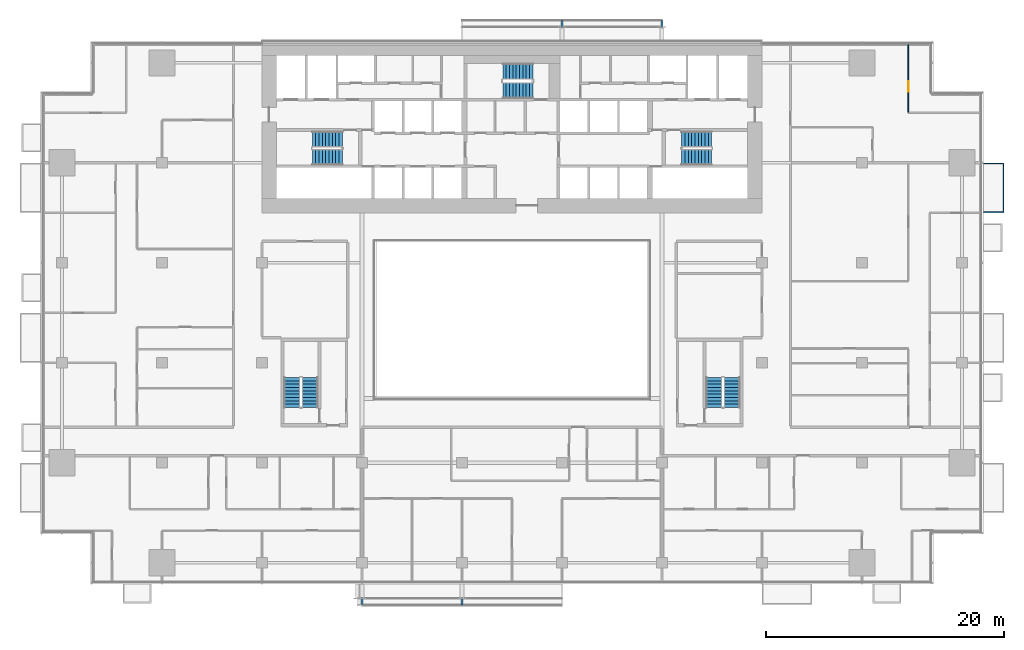
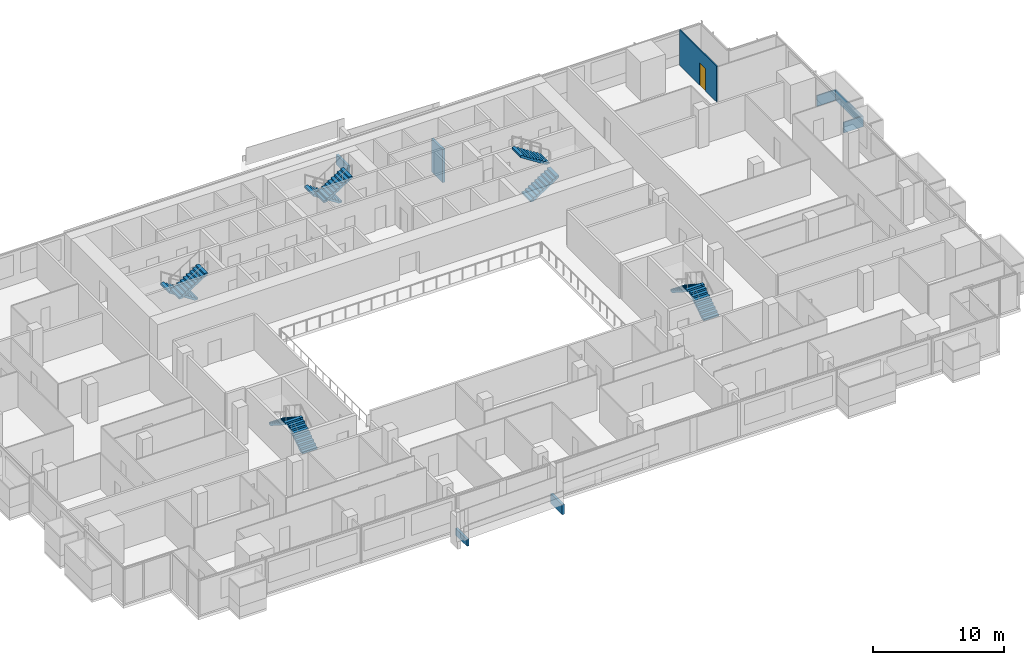
# One storey, part 25 of 27: 10 stair flights, 4 discrete accessories, 2 walls, 1 door, 1 opening, 5 elements without a shape of their own.
"""IFC4 building model written with IfcOpenShell, lengths in metres."""

from ifc_helpers import new_model, si_unit, direction, frame, frame_2d, origin, origin_2d, place, context, subcontext, project, spatial, polyline, rectangle, outline, extrude, material, layer, layer_set, type_object, element, fill, aggregate, save


model = new_model("IFC4")

# Units and contexts
model_context = context("Model", 3, precision=1e-05, world=origin(), true_north=direction((0.0, 1.0)))
body_context = subcontext(model_context, "Body", "Model", "MODEL_VIEW")
ifc_project = project(units=[si_unit("LENGTHUNIT", "METRE"), si_unit("AREAUNIT", "SQUARE_METRE"), si_unit("VOLUMEUNIT", "CUBIC_METRE"), si_unit("PLANEANGLEUNIT", "RADIAN"), si_unit("MASSUNIT", "GRAM", prefix="KILO")], contexts=[model_context])

# Site, building, storey
site_placement = place(None, origin())
site = spatial("IfcSite", under=ifc_project, at=site_placement, CompositionType="ELEMENT")
building_placement = place(site_placement, origin())
building = spatial("IfcBuilding", under=site, at=building_placement, Name="Saffron Gate Tower", CompositionType="ELEMENT")
storey_placement = place(building_placement, frame((0.0, 0.0, 40.800048828125)))
storey = spatial("IfcBuildingStorey", under=building, at=storey_placement, Name="L08", CompositionType="ELEMENT", Elevation=40.800048828125)

# Wall, opening, door
ifc_material_1 = material(Name="Plasterboard on steel studs", Category="steel")
ifc_layer_1 = layer(ifc_material_1, 0.10009765625)
ifc_layer_set_1 = layer_set([ifc_layer_1], Name="PW1 Partition 100")
wall_type_1 = type_object("IfcWallType", Name="PW1 Partition 100", PredefinedType="PARTITIONING", material=ifc_layer_set_1)
wall_1_placement = place(storey_placement, frame((120.89990234375, 75.320068359375, 0.0), z_axis=(0.0, 0.0, 1.0), x_axis=(0.0, -1.0, 0.0)))
wall_1 = element("IfcWall", 1, at=wall_1_placement, inside=storey, type_object=wall_type_1, Name="Partition A1-103", PredefinedType="PARTITIONING", context=body_context, shape_type="SweptSolid", body=[
    extrude(rectangle(XDim=5.670166015625, YDim=0.10009765625, at=frame_2d((2.8349609375, 0.0))), origin(), (0.0, 0.0, 1.0), 3.320068359375),
])
opening_placement = place(wall_1_placement, frame((3.0576171875, 0.0, 0.0)))
opening = element("IfcOpeningElement", 2, at=opening_placement, cuts=wall_1, Name="Opening A1-34", PredefinedType="OPENING", context=body_context, shape_type="SweptSolid", body=[
    extrude(rectangle(XDim=0.89990234375, YDim=2.10009765625, at=frame_2d((0.449951171875, 1.050048828125))), frame((0.0, 0.06005859375, 0.0), z_axis=(0.0, -1.0, 0.0), x_axis=(1.0, 0.0, 0.0)), (0.0, 0.0, 1.0), 0.1201171875),
])
ifc_material_2 = material(Name="Timber door set", Category="wood")
door_type = type_object("IfcDoorType", Name="RD1 Room door 900x2100", OperationType="NOTDEFINED", PredefinedType="DOOR", material=ifc_material_2)
door_placement = place(opening_placement, origin())
door = element("IfcDoor", 3, at=door_placement, inside=storey, type_object=door_type, Name="Door A1-34", OperationType="SINGLE_SWING_RIGHT", OverallHeight=2.10009765625, OverallWidth=0.89990234375, PredefinedType="DOOR", context=body_context, shape_type="SweptSolid", body=[
    extrude(rectangle(XDim=0.89990234375, YDim=2.10009765625, at=frame_2d((0.449951171875, 1.050048828125))), frame((0.0, 0.02490234375, 0.0), z_axis=(0.0, -1.0, 0.0), x_axis=(1.0, 0.0, 0.0)), (0.0, 0.0, 1.0), 0.050048828125),
])
fill(opening, door)

# Wall
ifc_material_3 = material(Name="Rendered insulated panel, white")
ifc_layer_2 = layer(ifc_material_3, 0.10009765625)
ifc_layer_set_2 = layer_set([ifc_layer_2], Name="WB3 box parapet white")
wall_type_2 = type_object("IfcWallType", Name="WB3 box parapet white", PredefinedType="SOLIDWALL", material=ifc_layer_set_2)
wall_2_placement = place(storey_placement, origin())
element("IfcWall", 4, at=wall_2_placement, inside=storey, type_object=wall_type_2, Name="WINDOW BOX parapet", PredefinedType="SOLIDWALL", context=body_context, shape_type="SweptSolid", body=[
    extrude(outline(polyline([(127.199951171875, 61.199951171875), (127.199951171875, 61.300048828125), (128.8330078125, 61.300048828125), (128.8330078125, 65.300048828125), (127.199951171875, 65.300048828125), (127.199951171875, 65.39990234375), (128.93310546875, 65.39990234375), (128.93310546875, 61.199951171875), (127.199951171875, 61.199951171875)])), origin(), (0.0, 0.0, 1.0), 1.0),
])

# Stair, stair flights
ifc_material_4 = material(Name="Concrete C40", Category="concrete")
stair_type = type_object("IfcStairType", Name="ST7 Stair 1350 wide, 20 risers of 180", PredefinedType="HALF_TURN_STAIR", material=ifc_material_4)
stair_1_placement = place(storey_placement, origin())
stair_1 = element("IfcStair", 5, at=stair_1_placement, inside=storey, type_object=stair_type, Name="L08 Exit stair A", PredefinedType="HALF_TURN_STAIR")
stair_flight_type = type_object("IfcStairFlightType", Name="SF3 Stair flight 1350 wide, riser 180 going 280", PredefinedType="STRAIGHT", material=ifc_material_4)
stair_flight_1_placement = place(storey_placement, frame((73.35009765625, 67.375, 0.0), z_axis=(0.0, 0.0, 1.0), x_axis=(-1.0, 0.0, 0.0)))
stair_flight_1 = element("IfcStairFlight", 6, at=stair_flight_1_placement, type_object=stair_flight_type, Name="ST-A flight 1", NumberOfRisers=10, NumberOfTreads=9, PredefinedType="STRAIGHT", RiserHeight=0.18, TreadLength=0.28, context=body_context, shape_type="SweptSolid", body=[
    extrude(outline(polyline([(0.0, 0.0), (0.0, 0.179931640625), (0.280029296875, 0.179931640625), (0.280029296875, 0.360107421875), (0.56005859375, 0.360107421875), (0.56005859375, 0.5400390625), (0.840087890625, 0.5400390625), (0.840087890625, 0.719970703125), (1.1201171875, 0.719970703125), (1.1201171875, 0.89990234375), (1.39990234375, 0.89990234375), (1.39990234375, 1.080078125), (1.679931640625, 1.080078125), (1.679931640625, 1.260009765625), (1.9599609375, 1.260009765625), (1.9599609375, 1.43994140625), (2.239990234375, 1.43994140625), (2.239990234375, 1.6201171875), (2.52001953125, 1.6201171875), (2.52001953125, 1.800048828125), (2.52001953125, 1.44189453125), (0.277099609375, 0.0), (0.0, 0.0)])), frame((0.0, 0.675048828125, 0.0), z_axis=(0.0, -1.0, 0.0), x_axis=(1.0, 0.0, 0.0)), (0.0, 0.0, 1.0), 1.35009765625),
])
stair_flight_2_placement = place(storey_placement, frame((70.830078125, 65.875, 1.800048828125), z_axis=(0.0, 0.0, 1.0), x_axis=(1.0, 0.0, 0.0)))
stair_flight_2 = element("IfcStairFlight", 7, at=stair_flight_2_placement, type_object=stair_flight_type, Name="ST-A flight 2", NumberOfRisers=10, NumberOfTreads=9, PredefinedType="STRAIGHT", RiserHeight=0.18, TreadLength=0.28, context=body_context, shape_type="SweptSolid", body=[
    extrude(outline(polyline([(0.0, 0.0), (0.0, 0.179931640625), (0.280029296875, 0.179931640625), (0.280029296875, 0.360107421875), (0.56005859375, 0.360107421875), (0.56005859375, 0.5400390625), (0.840087890625, 0.5400390625), (0.840087890625, 0.719970703125), (1.1201171875, 0.719970703125), (1.1201171875, 0.89990234375), (1.39990234375, 0.89990234375), (1.39990234375, 1.080078125), (1.679931640625, 1.080078125), (1.679931640625, 1.260009765625), (1.9599609375, 1.260009765625), (1.9599609375, 1.43994140625), (2.239990234375, 1.43994140625), (2.239990234375, 1.6201171875), (2.52001953125, 1.6201171875), (2.52001953125, 1.800048828125), (2.52001953125, 1.44189453125), (0.277099609375, 0.0), (0.0, 0.0)])), frame((0.0, 0.675048828125, 0.0), z_axis=(0.0, -1.0, 0.0), x_axis=(1.0, 0.0, 0.0)), (0.0, 0.0, 1.0), 1.35009765625),
])
aggregate(stair_1, [stair_flight_1, stair_flight_2])

stair_2_placement = place(storey_placement, origin())
stair_2 = element("IfcStair", 8, at=stair_2_placement, inside=storey, type_object=stair_type, Name="L08 Exit stair B", PredefinedType="HALF_TURN_STAIR")
stair_flight_3_placement = place(storey_placement, frame((101.85009765625, 65.875, 0.0), z_axis=(0.0, 0.0, 1.0), x_axis=(1.0, 0.0, 0.0)))
stair_flight_3 = element("IfcStairFlight", 9, at=stair_flight_3_placement, type_object=stair_flight_type, Name="ST-B flight 1", NumberOfRisers=10, NumberOfTreads=9, PredefinedType="STRAIGHT", RiserHeight=0.18, TreadLength=0.28, context=body_context, shape_type="SweptSolid", body=[
    extrude(outline(polyline([(0.0, 0.0), (0.0, 0.179931640625), (0.280029296875, 0.179931640625), (0.280029296875, 0.360107421875), (0.56005859375, 0.360107421875), (0.56005859375, 0.5400390625), (0.840087890625, 0.5400390625), (0.840087890625, 0.719970703125), (1.1201171875, 0.719970703125), (1.1201171875, 0.89990234375), (1.39990234375, 0.89990234375), (1.39990234375, 1.080078125), (1.679931640625, 1.080078125), (1.679931640625, 1.260009765625), (1.9599609375, 1.260009765625), (1.9599609375, 1.43994140625), (2.239990234375, 1.43994140625), (2.239990234375, 1.6201171875), (2.52001953125, 1.6201171875), (2.52001953125, 1.800048828125), (2.52001953125, 1.44189453125), (0.277099609375, 0.0), (0.0, 0.0)])), frame((0.0, 0.675048828125, 0.0), z_axis=(0.0, -1.0, 0.0), x_axis=(1.0, 0.0, 0.0)), (0.0, 0.0, 1.0), 1.35009765625),
])
stair_flight_4_placement = place(storey_placement, frame((104.3701171875, 67.375, 1.800048828125), z_axis=(0.0, 0.0, 1.0), x_axis=(-1.0, 0.0, 0.0)))
stair_flight_4 = element("IfcStairFlight", 10, at=stair_flight_4_placement, type_object=stair_flight_type, Name="ST-B flight 2", NumberOfRisers=10, NumberOfTreads=9, PredefinedType="STRAIGHT", RiserHeight=0.18, TreadLength=0.28, context=body_context, shape_type="SweptSolid", body=[
    extrude(outline(polyline([(0.0, 0.0), (0.0, 0.179931640625), (0.280029296875, 0.179931640625), (0.280029296875, 0.360107421875), (0.56005859375, 0.360107421875), (0.56005859375, 0.5400390625), (0.840087890625, 0.5400390625), (0.840087890625, 0.719970703125), (1.1201171875, 0.719970703125), (1.1201171875, 0.89990234375), (1.39990234375, 0.89990234375), (1.39990234375, 1.080078125), (1.679931640625, 1.080078125), (1.679931640625, 1.260009765625), (1.9599609375, 1.260009765625), (1.9599609375, 1.43994140625), (2.239990234375, 1.43994140625), (2.239990234375, 1.6201171875), (2.52001953125, 1.6201171875), (2.52001953125, 1.800048828125), (2.52001953125, 1.44189453125), (0.277099609375, 0.0), (0.0, 0.0)])), frame((0.0, 0.675048828125, 0.0), z_axis=(0.0, -1.0, 0.0), x_axis=(1.0, 0.0, 0.0)), (0.0, 0.0, 1.0), 1.35009765625),
])
aggregate(stair_2, [stair_flight_3, stair_flight_4])

stair_3_placement = place(storey_placement, origin())
stair_3 = element("IfcStair", 11, at=stair_3_placement, inside=storey, type_object=stair_type, Name="L08 Exit stair C", PredefinedType="HALF_TURN_STAIR")
stair_flight_5_placement = place(storey_placement, frame((89.35009765625, 73.074951171875, 0.0), z_axis=(0.0, 0.0, 1.0), x_axis=(-1.0, 0.0, 0.0)))
stair_flight_5 = element("IfcStairFlight", 12, at=stair_flight_5_placement, type_object=stair_flight_type, Name="ST-C flight 1", NumberOfRisers=10, NumberOfTreads=9, PredefinedType="STRAIGHT", RiserHeight=0.18, TreadLength=0.28, context=body_context, shape_type="SweptSolid", body=[
    extrude(outline(polyline([(0.0, 0.0), (0.0, 0.179931640625), (0.280029296875, 0.179931640625), (0.280029296875, 0.360107421875), (0.56005859375, 0.360107421875), (0.56005859375, 0.5400390625), (0.840087890625, 0.5400390625), (0.840087890625, 0.719970703125), (1.1201171875, 0.719970703125), (1.1201171875, 0.89990234375), (1.39990234375, 0.89990234375), (1.39990234375, 1.080078125), (1.679931640625, 1.080078125), (1.679931640625, 1.260009765625), (1.9599609375, 1.260009765625), (1.9599609375, 1.43994140625), (2.239990234375, 1.43994140625), (2.239990234375, 1.6201171875), (2.52001953125, 1.6201171875), (2.52001953125, 1.800048828125), (2.52001953125, 1.44189453125), (0.277099609375, 0.0), (0.0, 0.0)])), frame((0.0, 0.675048828125, 0.0), z_axis=(0.0, -1.0, 0.0), x_axis=(1.0, 0.0, 0.0)), (0.0, 0.0, 1.0), 1.35009765625),
])
stair_flight_6_placement = place(storey_placement, frame((86.830078125, 71.47509765625, 1.800048828125), z_axis=(0.0, 0.0, 1.0), x_axis=(1.0, 0.0, 0.0)))
stair_flight_6 = element("IfcStairFlight", 13, at=stair_flight_6_placement, type_object=stair_flight_type, Name="ST-C flight 2", NumberOfRisers=10, NumberOfTreads=9, PredefinedType="STRAIGHT", RiserHeight=0.18, TreadLength=0.28, context=body_context, shape_type="SweptSolid", body=[
    extrude(outline(polyline([(0.0, 0.0), (0.0, 0.179931640625), (0.280029296875, 0.179931640625), (0.280029296875, 0.360107421875), (0.56005859375, 0.360107421875), (0.56005859375, 0.5400390625), (0.840087890625, 0.5400390625), (0.840087890625, 0.719970703125), (1.1201171875, 0.719970703125), (1.1201171875, 0.89990234375), (1.39990234375, 0.89990234375), (1.39990234375, 1.080078125), (1.679931640625, 1.080078125), (1.679931640625, 1.260009765625), (1.9599609375, 1.260009765625), (1.9599609375, 1.43994140625), (2.239990234375, 1.43994140625), (2.239990234375, 1.6201171875), (2.52001953125, 1.6201171875), (2.52001953125, 1.800048828125), (2.52001953125, 1.44189453125), (0.277099609375, 0.0), (0.0, 0.0)])), frame((0.0, 0.675048828125, 0.0), z_axis=(0.0, -1.0, 0.0), x_axis=(1.0, 0.0, 0.0)), (0.0, 0.0, 1.0), 1.35009765625),
])
aggregate(stair_3, [stair_flight_5, stair_flight_6])

stair_4_placement = place(storey_placement, origin())
stair_4 = element("IfcStair", 14, at=stair_4_placement, inside=storey, type_object=stair_type, Name="L08 Exit stair D", PredefinedType="HALF_TURN_STAIR")
stair_flight_7_placement = place(storey_placement, frame((70.625, 44.85009765625, 0.0), z_axis=(0.0, 0.0, 1.0), x_axis=(0.0, 1.0, 0.0)))
stair_flight_7 = element("IfcStairFlight", 15, at=stair_flight_7_placement, type_object=stair_flight_type, Name="ST-D flight 1", NumberOfRisers=10, NumberOfTreads=9, PredefinedType="STRAIGHT", RiserHeight=0.18, TreadLength=0.28, context=body_context, shape_type="SweptSolid", body=[
    extrude(outline(polyline([(0.0, 0.0), (0.0, 0.179931640625), (0.280029296875, 0.179931640625), (0.280029296875, 0.360107421875), (0.56005859375, 0.360107421875), (0.56005859375, 0.5400390625), (0.840087890625, 0.5400390625), (0.840087890625, 0.719970703125), (1.1201171875, 0.719970703125), (1.1201171875, 0.89990234375), (1.39990234375, 0.89990234375), (1.39990234375, 1.080078125), (1.679931640625, 1.080078125), (1.679931640625, 1.260009765625), (1.9599609375, 1.260009765625), (1.9599609375, 1.43994140625), (2.239990234375, 1.43994140625), (2.239990234375, 1.6201171875), (2.52001953125, 1.6201171875), (2.52001953125, 1.800048828125), (2.52001953125, 1.44189453125), (0.277099609375, 0.0), (0.0, 0.0)])), frame((0.0, 0.675048828125, 0.0), z_axis=(0.0, -1.0, 0.0), x_axis=(1.0, 0.0, 0.0)), (0.0, 0.0, 1.0), 1.35009765625),
])
stair_flight_8_placement = place(storey_placement, frame((69.125, 47.3701171875, 1.800048828125), z_axis=(0.0, 0.0, 1.0), x_axis=(0.0, -1.0, 0.0)))
stair_flight_8 = element("IfcStairFlight", 16, at=stair_flight_8_placement, type_object=stair_flight_type, Name="ST-D flight 2", NumberOfRisers=10, NumberOfTreads=9, PredefinedType="STRAIGHT", RiserHeight=0.18, TreadLength=0.28, context=body_context, shape_type="SweptSolid", body=[
    extrude(outline(polyline([(0.0, 0.0), (0.0, 0.179931640625), (0.280029296875, 0.179931640625), (0.280029296875, 0.360107421875), (0.56005859375, 0.360107421875), (0.56005859375, 0.5400390625), (0.840087890625, 0.5400390625), (0.840087890625, 0.719970703125), (1.1201171875, 0.719970703125), (1.1201171875, 0.89990234375), (1.39990234375, 0.89990234375), (1.39990234375, 1.080078125), (1.679931640625, 1.080078125), (1.679931640625, 1.260009765625), (1.9599609375, 1.260009765625), (1.9599609375, 1.43994140625), (2.239990234375, 1.43994140625), (2.239990234375, 1.6201171875), (2.52001953125, 1.6201171875), (2.52001953125, 1.800048828125), (2.52001953125, 1.44189453125), (0.277099609375, 0.0), (0.0, 0.0)])), frame((0.0, 0.675048828125, 0.0), z_axis=(0.0, -1.0, 0.0), x_axis=(1.0, 0.0, 0.0)), (0.0, 0.0, 1.0), 1.35009765625),
])
aggregate(stair_4, [stair_flight_7, stair_flight_8])

stair_5_placement = place(storey_placement, origin())
stair_5 = element("IfcStair", 17, at=stair_5_placement, inside=storey, type_object=stair_type, Name="L08 Exit stair E", PredefinedType="HALF_TURN_STAIR")
stair_flight_9_placement = place(storey_placement, frame((106.074951171875, 44.85009765625, 0.0), z_axis=(0.0, 0.0, 1.0), x_axis=(0.0, 1.0, 0.0)))
stair_flight_9 = element("IfcStairFlight", 18, at=stair_flight_9_placement, type_object=stair_flight_type, Name="ST-E flight 1", NumberOfRisers=10, NumberOfTreads=9, PredefinedType="STRAIGHT", RiserHeight=0.18, TreadLength=0.28, context=body_context, shape_type="SweptSolid", body=[
    extrude(outline(polyline([(0.0, 0.0), (0.0, 0.179931640625), (0.280029296875, 0.179931640625), (0.280029296875, 0.360107421875), (0.56005859375, 0.360107421875), (0.56005859375, 0.5400390625), (0.840087890625, 0.5400390625), (0.840087890625, 0.719970703125), (1.1201171875, 0.719970703125), (1.1201171875, 0.89990234375), (1.39990234375, 0.89990234375), (1.39990234375, 1.080078125), (1.679931640625, 1.080078125), (1.679931640625, 1.260009765625), (1.9599609375, 1.260009765625), (1.9599609375, 1.43994140625), (2.239990234375, 1.43994140625), (2.239990234375, 1.6201171875), (2.52001953125, 1.6201171875), (2.52001953125, 1.800048828125), (2.52001953125, 1.44189453125), (0.277099609375, 0.0), (0.0, 0.0)])), frame((0.0, 0.675048828125, 0.0), z_axis=(0.0, -1.0, 0.0), x_axis=(1.0, 0.0, 0.0)), (0.0, 0.0, 1.0), 1.35009765625),
])
stair_flight_10_placement = place(storey_placement, frame((104.574951171875, 47.3701171875, 1.800048828125), z_axis=(0.0, 0.0, 1.0), x_axis=(0.0, -1.0, 0.0)))
stair_flight_10 = element("IfcStairFlight", 19, at=stair_flight_10_placement, type_object=stair_flight_type, Name="ST-E flight 2", NumberOfRisers=10, NumberOfTreads=9, PredefinedType="STRAIGHT", RiserHeight=0.18, TreadLength=0.28, context=body_context, shape_type="SweptSolid", body=[
    extrude(outline(polyline([(0.0, 0.0), (0.0, 0.179931640625), (0.280029296875, 0.179931640625), (0.280029296875, 0.360107421875), (0.56005859375, 0.360107421875), (0.56005859375, 0.5400390625), (0.840087890625, 0.5400390625), (0.840087890625, 0.719970703125), (1.1201171875, 0.719970703125), (1.1201171875, 0.89990234375), (1.39990234375, 0.89990234375), (1.39990234375, 1.080078125), (1.679931640625, 1.080078125), (1.679931640625, 1.260009765625), (1.9599609375, 1.260009765625), (1.9599609375, 1.43994140625), (2.239990234375, 1.43994140625), (2.239990234375, 1.6201171875), (2.52001953125, 1.6201171875), (2.52001953125, 1.800048828125), (2.52001953125, 1.44189453125), (0.277099609375, 0.0), (0.0, 0.0)])), frame((0.0, 0.675048828125, 0.0), z_axis=(0.0, -1.0, 0.0), x_axis=(1.0, 0.0, 0.0)), (0.0, 0.0, 1.0), 1.35009765625),
])
aggregate(stair_5, [stair_flight_9, stair_flight_10])

# Discrete accessories
discrete_accessory_1_placement = place(storey_placement, frame((75.0, 29.125, -0.280029296875), z_axis=(0.0, 0.0, 1.0), x_axis=(1.0, 0.0, 0.0)))
element("IfcDiscreteAccessory", 20, at=discrete_accessory_1_placement, inside=storey, Name="LEDGE rib", PredefinedType="BRACKET", context=body_context, shape_type="SweptSolid", body=[
    extrude(rectangle(XDim=0.199951171875, YDim=1.75, at=origin_2d()), origin(), (0.0, 0.0, 1.0), 0.6376953125),
])
discrete_accessory_2_placement = place(storey_placement, frame((83.39990234375, 29.125, -0.27978515625), z_axis=(0.0, 0.0, 1.0), x_axis=(1.0, 0.0, 0.0)))
element("IfcDiscreteAccessory", 21, at=discrete_accessory_2_placement, inside=storey, Name="LEDGE rib", PredefinedType="BRACKET", context=body_context, shape_type="SweptSolid", body=[
    extrude(rectangle(XDim=0.199951171875, YDim=1.75, at=origin_2d()), origin(), (0.0, 0.0, 1.0), 0.936767578125),
])
discrete_accessory_3_placement = place(storey_placement, frame((100.199951171875, 76.47509765625, -3.8798828125), z_axis=(0.0, 0.0, 1.0), x_axis=(-1.0, 0.0, 0.0)))
element("IfcDiscreteAccessory", 22, at=discrete_accessory_3_placement, inside=storey, Name="LEDGE rib", PredefinedType="BRACKET", context=body_context, shape_type="SweptSolid", body=[
    extrude(rectangle(XDim=0.199951171875, YDim=1.75, at=origin_2d()), origin(), (0.0, 0.0, 1.0), 3.094482421875),
])
discrete_accessory_4_placement = place(storey_placement, frame((91.800048828125, 76.47509765625, -0.27978515625), z_axis=(0.0, 0.0, 1.0), x_axis=(-1.0, 0.0, 0.0)))
element("IfcDiscreteAccessory", 23, at=discrete_accessory_4_placement, inside=storey, Name="LEDGE rib", PredefinedType="BRACKET", context=body_context, shape_type="SweptSolid", body=[
    extrude(rectangle(XDim=0.199951171875, YDim=1.75, at=origin_2d()), origin(), (0.0, 0.0, 1.0), 0.936767578125),
])

save(model, "model.ifc")
